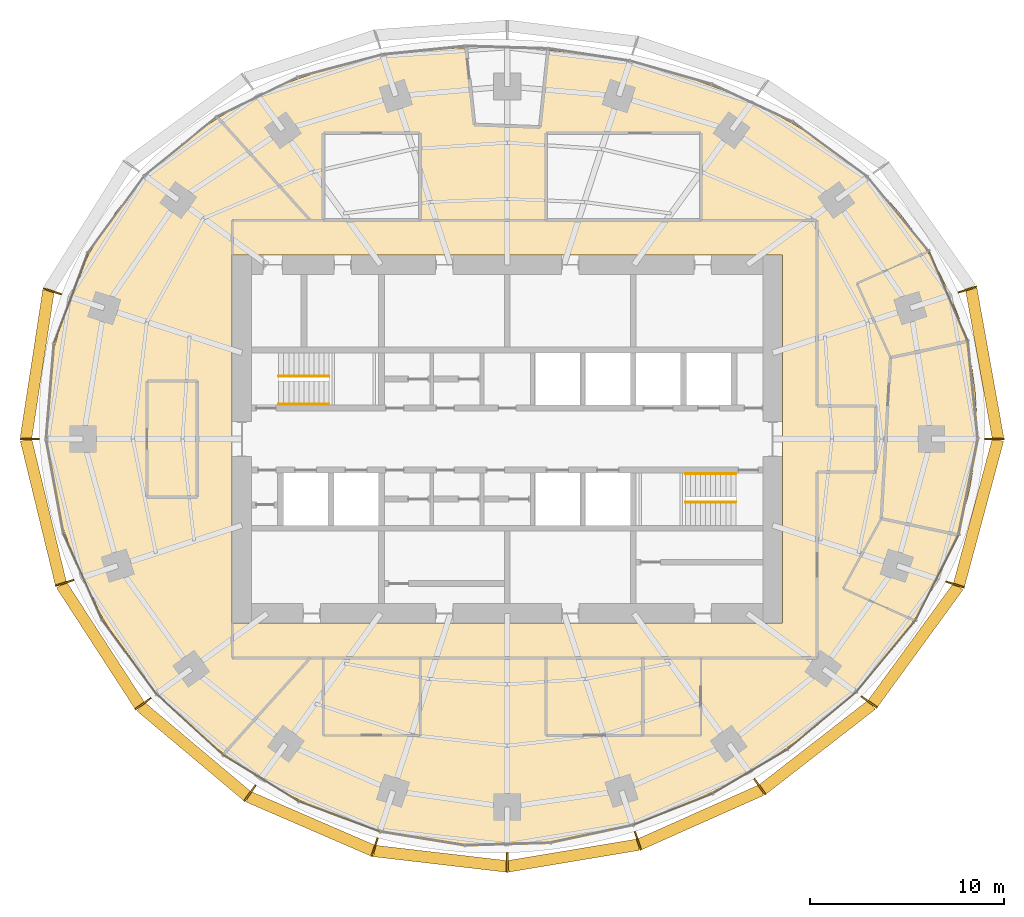
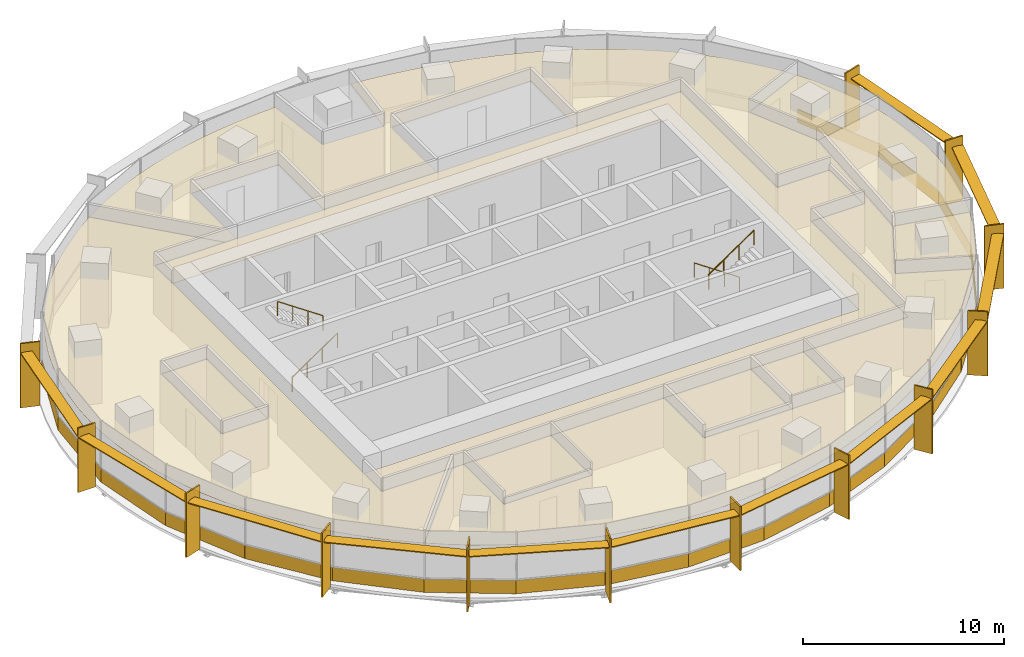
# One storey, part 14 of 15: 29 coverings, 25 shading devices, 4 railings.
"""IFC4 building model written with IfcOpenShell, lengths in metres."""

from ifc_helpers import new_model, si_unit, direction, frame, origin, origin_2d, place, context, subcontext, project, spatial, polyline, rectangle, circle, outline, extrude, material, layer, layer_set, type_object, element, save


model = new_model("IFC4")

# Units and contexts
model_context = context("Model", 3, precision=1e-05, world=origin(), true_north=direction((0.0, 1.0)))
body_context = subcontext(model_context, "Body", "Model", "MODEL_VIEW")
ifc_project = project(units=[si_unit("LENGTHUNIT", "METRE"), si_unit("AREAUNIT", "SQUARE_METRE"), si_unit("VOLUMEUNIT", "CUBIC_METRE"), si_unit("PLANEANGLEUNIT", "RADIAN"), si_unit("MASSUNIT", "GRAM", prefix="KILO")], contexts=[model_context])

# Site, building, storey
site_placement = place(None, origin())
site = spatial("IfcSite", under=ifc_project, at=site_placement, CompositionType="ELEMENT")
building_placement = place(site_placement, origin())
building = spatial("IfcBuilding", under=site, at=building_placement, Name="Marramba Exchange Tower", CompositionType="ELEMENT")
storey_placement = place(building_placement, frame((0.0, 0.0, 211.10009765625)))
storey = spatial("IfcBuildingStorey", under=building, at=storey_placement, Name="L51", CompositionType="ELEMENT", Elevation=211.10009765625)

# Shading devices
ifc_material_1 = material(Name="Aluminium blade, timber-look bronze finish", Category="wood")
ifc_layer_1 = layer(ifc_material_1, 0.080078125)
ifc_layer_set_1 = layer_set([ifc_layer_1], Name="Floor-edge blade 1000x80")
shading_device_type_1 = type_object("IfcShadingDeviceType", Name="Floor-edge blade 1000x80", PredefinedType="USERDEFINED", material=ifc_layer_set_1)
for number, where, z_axis, x_axis, name in (
    (1, (25.14404296875, 0.0, -0.16015625), (0.0, 0.0, 1.0), (1.0, 0.0, 0.0), "Floor-edge blade FB1 L51 TC01"),
    (2, (23.757080078125, 7.718994140625, -0.16015625), (0.0, 0.0, 1.0), (0.951056516295, 0.309016994375, 0.0), "Floor-edge blade FB1 L51 TC02"),
    (3, (-23.488525390625, 7.6318359375, -0.16015625), (0.0, 0.0, 1.0), (-0.951056516295, 0.309016994375, 0.0), "Floor-edge blade FB1 L51 TC10"),
    (4, (-24.656005859375, 0.0, -0.16015625), (0.0, 0.0, 1.0), (-1.0, 0.0, 0.0), "Floor-edge blade FB1 L51 TC11"),
    (5, (-22.848876953125, -7.424072265625, -0.16015625), (0.0, 0.0, 1.0), (-0.951056516295, -0.309016994375, 0.0), "Floor-edge blade FB1 L51 TC12"),
    (6, (-18.7998046875, -13.658935546875, -0.16015625), (0.0, 0.0, 1.0), (-0.809016994375, -0.587785252292, 0.0), "Floor-edge blade FB1 L51 TC13"),
    (7, (-13.2841796875, -18.2841796875, -0.16015625), (0.0, 0.0, 1.0), (-0.587785252292, -0.809016994375, 0.0), "Floor-edge blade FB1 L51 TC14"),
    (8, (-6.845703125, -21.069091796875, -0.16015625), (0.0, 0.0, 1.0), (-0.309016994375, -0.951056516295, 0.0), "Floor-edge blade FB1 L51 TC15"),
    (9, (0.0, -21.86376953125, -0.16015625), (0.0, 0.0, 1.0), (0.0, -1.0, 0.0), "Floor-edge blade FB1 L51 TC16"),
    (10, (6.739501953125, -20.741943359375, -0.16015625), (0.0, 0.0, 1.0), (0.309016994375, -0.951056516295, 0.0), "Floor-edge blade FB1 L51 TC17"),
    (11, (13.0380859375, -17.9453125, -0.16015625), (0.0, 0.0, 1.0), (0.587785252292, -0.809016994375, 0.0), "Floor-edge blade FB1 L51 TC18"),
    (12, (18.6845703125, -13.5751953125, -0.16015625), (0.0, 0.0, 1.0), (0.809016994375, -0.587785252292, 0.0), "Floor-edge blade FB1 L51 TC19"),
    (13, (23.1171875, -7.51123046875, -0.16015625), (0.0, 0.0, 1.0), (0.951056516295, -0.309016994375, 0.0), "Floor-edge blade FB1 L51 TC20"),
):
    element("IfcShadingDevice", number, at=place(storey_placement, frame(where, z_axis=z_axis, x_axis=x_axis)), inside=storey, type_object=shading_device_type_1, Name=name, ObjectType="FIN", PredefinedType="USERDEFINED", context=body_context, shape_type="SweptSolid", body=[
        extrude(rectangle(XDim=1.0, YDim=0.080078125, at=origin_2d()), origin(), (0.0, 0.0, 1.0), 3.89990234375),
    ])
ifc_material_2 = material(Name="Aluminium sunshade, bronze anodised", Category="aluminium")
ifc_layer_2 = layer(ifc_material_2, 0.06005859375)
ifc_layer_set_2 = layer_set([ifc_layer_2], Name="SUNSHADE blade 600x60")
shading_device_type_2 = type_object("IfcShadingDeviceType", Name="SUNSHADE blade 600x60", PredefinedType="USERDEFINED", material=ifc_layer_set_2)
shading_device_1_placement = place(storey_placement, frame((24.6455078125, 3.890380859375, 3.159912109375), z_axis=(0.0, 0.0, 1.0), x_axis=(-0.176690623809, 0.984266439262, 0.0)))
element("IfcShadingDevice", 14, at=shading_device_1_placement, inside=storey, type_object=shading_device_type_2, Name="Sunshade SS1 L51 bay 01", ObjectType="SUNSHADE", PredefinedType="USERDEFINED", context=body_context, shape_type="SweptSolid", body=[
    extrude(rectangle(XDim=7.8251953125, YDim=0.60009765625, at=origin_2d()), origin(), (0.0, 0.0, 1.0), 0.06005859375),
])
shading_device_2_placement = place(storey_placement, frame((-24.267333984375, 3.846923828125, 3.159912109375), z_axis=(0.0, 0.0, 1.0), x_axis=(-0.151240669327, -0.988496970123, 0.0)))
element("IfcShadingDevice", 15, at=shading_device_2_placement, inside=storey, type_object=shading_device_type_2, Name="Sunshade SS1 L51 bay 10", ObjectType="SUNSHADE", PredefinedType="USERDEFINED", context=body_context, shape_type="SweptSolid", body=[
    extrude(rectangle(XDim=7.703369140625, YDim=0.60009765625, at=origin_2d()), origin(), (0.0, 0.0, 1.0), 0.06005859375),
])
shading_device_3_placement = place(storey_placement, frame((-23.947509765625, -3.742919921875, 3.159912109375), z_axis=(0.0, 0.0, 1.0), x_axis=(0.235861488454, -0.971786683519, 0.0)))
element("IfcShadingDevice", 16, at=shading_device_3_placement, inside=storey, type_object=shading_device_type_2, Name="Sunshade SS1 L51 bay 11", ObjectType="SUNSHADE", PredefinedType="USERDEFINED", context=body_context, shape_type="SweptSolid", body=[
    extrude(rectangle(XDim=7.623291015625, YDim=0.60009765625, at=origin_2d()), origin(), (0.0, 0.0, 1.0), 0.06005859375),
])
shading_device_4_placement = place(storey_placement, frame((-21.000244140625, -10.631103515625, 3.159912109375), z_axis=(0.0, 0.0, 1.0), x_axis=(0.543921771105, -0.839135928749, 0.0)))
element("IfcShadingDevice", 17, at=shading_device_4_placement, inside=storey, type_object=shading_device_type_2, Name="Sunshade SS1 L51 bay 12", ObjectType="SUNSHADE", PredefinedType="USERDEFINED", context=body_context, shape_type="SweptSolid", body=[
    extrude(rectangle(XDim=7.41650390625, YDim=0.60009765625, at=origin_2d()), origin(), (0.0, 0.0, 1.0), 0.06005859375),
])
shading_device_5_placement = place(storey_placement, frame((-16.181640625, -16.111083984375, 3.159912109375), z_axis=(0.0, 0.0, 1.0), x_axis=(0.765761970568, -0.643124097225, 0.0)))
element("IfcShadingDevice", 18, at=shading_device_5_placement, inside=storey, type_object=shading_device_type_2, Name="Sunshade SS1 L51 bay 13", ObjectType="SUNSHADE", PredefinedType="USERDEFINED", context=body_context, shape_type="SweptSolid", body=[
    extrude(rectangle(XDim=7.1806640625, YDim=0.60009765625, at=origin_2d()), origin(), (0.0, 0.0, 1.0), 0.06005859375),
])
shading_device_6_placement = place(storey_placement, frame((-10.154541015625, -19.8525390625, 3.159912109375), z_axis=(0.0, 0.0, 1.0), x_axis=(0.917589256742, -0.397529817639, 0.0)))
element("IfcShadingDevice", 19, at=shading_device_6_placement, inside=storey, type_object=shading_device_type_2, Name="Sunshade SS1 L51 bay 14", ObjectType="SUNSHADE", PredefinedType="USERDEFINED", context=body_context, shape_type="SweptSolid", body=[
    extrude(rectangle(XDim=6.997314453125, YDim=0.60009765625, at=origin_2d()), origin(), (0.0, 0.0, 1.0), 0.06005859375),
])
shading_device_7_placement = place(storey_placement, frame((-3.453857421875, -21.66162109375, 3.159912109375), z_axis=(0.0, 0.0, 1.0), x_axis=(0.993288257497, -0.1156651958, 0.0)))
element("IfcShadingDevice", 20, at=shading_device_7_placement, inside=storey, type_object=shading_device_type_2, Name="Sunshade SS1 L51 bay 15", ObjectType="SUNSHADE", PredefinedType="USERDEFINED", context=body_context, shape_type="SweptSolid", body=[
    extrude(rectangle(XDim=6.874267578125, YDim=0.60009765625, at=origin_2d()), origin(), (0.0, 0.0, 1.0), 0.06005859375),
])
shading_device_8_placement = place(storey_placement, frame((3.400634765625, -21.498046875, 3.159912109375), z_axis=(0.0, 0.0, 1.0), x_axis=(0.986439622954, 0.164124557168, 0.0)))
element("IfcShadingDevice", 21, at=shading_device_8_placement, inside=storey, type_object=shading_device_type_2, Name="Sunshade SS1 L51 bay 16", ObjectType="SUNSHADE", PredefinedType="USERDEFINED", context=body_context, shape_type="SweptSolid", body=[
    extrude(rectangle(XDim=6.814697265625, YDim=0.60009765625, at=origin_2d()), origin(), (0.0, 0.0, 1.0), 0.06005859375),
])
shading_device_9_placement = place(storey_placement, frame((9.978515625, -19.519775390625, 3.159912109375), z_axis=(0.0, 0.0, 1.0), x_axis=(0.913771678576, 0.406228161792, 0.0)))
element("IfcShadingDevice", 22, at=shading_device_9_placement, inside=storey, type_object=shading_device_type_2, Name="Sunshade SS1 L51 bay 17", ObjectType="SUNSHADE", PredefinedType="USERDEFINED", context=body_context, shape_type="SweptSolid", body=[
    extrude(rectangle(XDim=6.8740234375, YDim=0.60009765625, at=origin_2d()), origin(), (0.0, 0.0, 1.0), 0.06005859375),
])
shading_device_10_placement = place(storey_placement, frame((16.0009765625, -15.89990234375, 3.159912109375), z_axis=(0.0, 0.0, 1.0), x_axis=(0.790133082515, 0.612935324414, 0.0)))
element("IfcShadingDevice", 23, at=shading_device_10_placement, inside=storey, type_object=shading_device_type_2, Name="Sunshade SS1 L51 bay 18", ObjectType="SUNSHADE", PredefinedType="USERDEFINED", context=body_context, shape_type="SweptSolid", body=[
    extrude(rectangle(XDim=7.122314453125, YDim=0.60009765625, at=origin_2d()), origin(), (0.0, 0.0, 1.0), 0.06005859375),
])
shading_device_11_placement = place(storey_placement, frame((21.076904296875, -10.6328125, 3.159912109375), z_axis=(0.0, 0.0, 1.0), x_axis=(0.589071758439, 0.808080728275, 0.0)))
element("IfcShadingDevice", 24, at=shading_device_11_placement, inside=storey, type_object=shading_device_type_2, Name="Sunshade SS1 L51 bay 19", ObjectType="SUNSHADE", PredefinedType="USERDEFINED", context=body_context, shape_type="SweptSolid", body=[
    extrude(rectangle(XDim=7.4931640625, YDim=0.60009765625, at=origin_2d()), origin(), (0.0, 0.0, 1.0), 0.06005859375),
])
shading_device_12_placement = place(storey_placement, frame((24.32568359375, -3.78662109375, 3.159912109375), z_axis=(0.0, 0.0, 1.0), x_axis=(0.259692365654, 0.965691397508, 0.0)))
element("IfcShadingDevice", 25, at=shading_device_12_placement, inside=storey, type_object=shading_device_type_2, Name="Sunshade SS1 L51 bay 20", ObjectType="SUNSHADE", PredefinedType="USERDEFINED", context=body_context, shape_type="SweptSolid", body=[
    extrude(rectangle(XDim=7.76220703125, YDim=0.60009765625, at=origin_2d()), origin(), (0.0, 0.0, 1.0), 0.06005859375),
])

# Coverings
ifc_material_3 = material(Name="Aluminium spandrel panel, bronze anodised, insulated", Category="aluminium")
ifc_layer_3 = layer(ifc_material_3, 0.050048828125)
ifc_layer_set_3 = layer_set([ifc_layer_3], Name="Spandrel panel 800")
covering_type_1 = type_object("IfcCoveringType", Name="Spandrel panel 800", PredefinedType="CLADDING", material=ifc_layer_set_3)
covering_1_placement = place(storey_placement, frame((24.036376953125, 2.527099609375, 0.0), z_axis=(0.0, 0.0, 1.0), x_axis=(-0.101422478545, 0.994843445395, 0.0)))
element("IfcCovering", 26, at=covering_1_placement, inside=storey, type_object=covering_type_1, Name="Spandrel panel SP1 L51 F01", PredefinedType="CLADDING", context=body_context, shape_type="SweptSolid", body=[
    extrude(rectangle(XDim=5.08056640625, YDim=0.050048828125, at=origin_2d()), origin(), (0.0, 0.0, 1.0), 0.800048828125),
])
covering_2_placement = place(storey_placement, frame((22.77734375, 7.374755859375, 0.0), z_axis=(0.0, 0.0, 1.0), x_axis=(-0.396193349205, 0.918167103552, 0.0)))
element("IfcCovering", 27, at=covering_2_placement, inside=storey, type_object=covering_type_1, Name="Spandrel panel SP1 L51 F02", PredefinedType="CLADDING", context=body_context, shape_type="SweptSolid", body=[
    extrude(rectangle(XDim=5.0546875, YDim=0.050048828125, at=origin_2d()), origin(), (0.0, 0.0, 1.0), 0.800048828125),
])
covering_3_placement = place(storey_placement, frame((-22.518798828125, 7.30419921875, 0.0), z_axis=(0.0, 0.0, 1.0), x_axis=(-0.351951514464, -0.936018232443, 0.0)))
element("IfcCovering", 28, at=covering_3_placement, inside=storey, type_object=covering_type_1, Name="Spandrel panel SP1 L51 F14", PredefinedType="CLADDING", context=body_context, shape_type="SweptSolid", body=[
    extrude(rectangle(XDim=4.981689453125, YDim=0.050048828125, at=origin_2d()), origin(), (0.0, 0.0, 1.0), 0.800048828125),
])
covering_4_placement = place(storey_placement, frame((-23.600830078125, 2.486328125, 0.0), z_axis=(0.0, 0.0, 1.0), x_axis=(-0.082280881776, -0.996609179415, 0.0)))
element("IfcCovering", 29, at=covering_4_placement, inside=storey, type_object=covering_type_1, Name="Spandrel panel SP1 L51 F15", PredefinedType="CLADDING", context=body_context, shape_type="SweptSolid", body=[
    extrude(rectangle(XDim=4.98974609375, YDim=0.050048828125, at=origin_2d()), origin(), (0.0, 0.0, 1.0), 0.800048828125),
])
covering_5_placement = place(storey_placement, frame((-23.359619140625, -2.43505859375, 0.0), z_axis=(0.0, 0.0, 1.0), x_axis=(0.180327442841, -0.983606635479, 0.0)))
element("IfcCovering", 30, at=covering_5_placement, inside=storey, type_object=covering_type_1, Name="Spandrel panel SP1 L51 F16", PredefinedType="CLADDING", context=body_context, shape_type="SweptSolid", body=[
    extrude(rectangle(XDim=4.951416015625, YDim=0.050048828125, at=origin_2d()), origin(), (0.0, 0.0, 1.0), 0.800048828125),
])
covering_6_placement = place(storey_placement, frame((-21.920654296875, -7.093994140625, 0.0), z_axis=(0.0, 0.0, 1.0), x_axis=(0.407557582153, -0.913179509861, 0.0)))
element("IfcCovering", 31, at=covering_6_placement, inside=storey, type_object=covering_type_1, Name="Spandrel panel SP1 L51 F17", PredefinedType="CLADDING", context=body_context, shape_type="SweptSolid", body=[
    extrude(rectangle(XDim=4.870361328125, YDim=0.050048828125, at=origin_2d()), origin(), (0.0, 0.0, 1.0), 0.800048828125),
])
covering_7_placement = place(storey_placement, frame((-19.520263671875, -11.238525390625, 0.0), z_axis=(0.0, 0.0, 1.0), x_axis=(0.591223097085, -0.80650805915, 0.0)))
element("IfcCovering", 32, at=covering_7_placement, inside=storey, type_object=covering_type_1, Name="Spandrel panel SP1 L51 F18", PredefinedType="CLADDING", context=body_context, shape_type="SweptSolid", body=[
    extrude(rectangle(XDim=4.762939453125, YDim=0.050048828125, at=origin_2d()), origin(), (0.0, 0.0, 1.0), 0.800048828125),
])
covering_8_placement = place(storey_placement, frame((-16.396240234375, -14.73193359375, 0.0), z_axis=(0.0, 0.0, 1.0), x_axis=(0.737203259599, -0.67567103981, 0.0)))
element("IfcCovering", 33, at=covering_8_placement, inside=storey, type_object=covering_type_1, Name="Spandrel panel SP1 L51 F19", PredefinedType="CLADDING", context=body_context, shape_type="SweptSolid", body=[
    extrude(rectangle(XDim=4.65478515625, YDim=0.050048828125, at=origin_2d()), origin(), (0.0, 0.0, 1.0), 0.800048828125),
])
covering_9_placement = place(storey_placement, frame((-12.73583984375, -17.497802734375, 0.0), z_axis=(0.0, 0.0, 1.0), x_axis=(0.852301010692, -0.52305161043, 0.0)))
element("IfcCovering", 34, at=covering_9_placement, inside=storey, type_object=covering_type_1, Name="Spandrel panel SP1 L51 F20", PredefinedType="CLADDING", context=body_context, shape_type="SweptSolid", body=[
    extrude(rectangle(XDim=4.563232421875, YDim=0.050048828125, at=origin_2d()), origin(), (0.0, 0.0, 1.0), 0.800048828125),
])
covering_10_placement = place(storey_placement, frame((-8.687255859375, -19.47607421875, 0.0), z_axis=(0.0, 0.0, 1.0), x_axis=(0.936951581946, -0.349459200892, 0.0)))
element("IfcCovering", 35, at=covering_10_placement, inside=storey, type_object=covering_type_1, Name="Spandrel panel SP1 L51 F21", PredefinedType="CLADDING", context=body_context, shape_type="SweptSolid", body=[
    extrude(rectangle(XDim=4.491455078125, YDim=0.050048828125, at=origin_2d()), origin(), (0.0, 0.0, 1.0), 0.800048828125),
])
covering_11_placement = place(storey_placement, frame((-4.393798828125, -20.6181640625, 0.0), z_axis=(0.0, 0.0, 1.0), x_axis=(0.98693062179, -0.161145734582, 0.0)))
element("IfcCovering", 36, at=covering_11_placement, inside=storey, type_object=covering_type_1, Name="Spandrel panel SP1 L51 F22", PredefinedType="CLADDING", context=body_context, shape_type="SweptSolid", body=[
    extrude(rectangle(XDim=4.4365234375, YDim=0.050048828125, at=origin_2d()), origin(), (0.0, 0.0, 1.0), 0.800048828125),
])
covering_12_placement = place(storey_placement, frame((-0.0068359375, -20.9111328125, 0.0), z_axis=(0.0, 0.0, 1.0), x_axis=(0.99956791932, 0.02939344597, 0.0)))
element("IfcCovering", 37, at=covering_12_placement, inside=storey, type_object=covering_type_1, Name="Spandrel panel SP1 L51 F23", PredefinedType="CLADDING", context=body_context, shape_type="SweptSolid", body=[
    extrude(rectangle(XDim=4.3974609375, YDim=0.050048828125, at=origin_2d()), origin(), (0.0, 0.0, 1.0), 0.800048828125),
])
covering_13_placement = place(storey_placement, frame((4.333984375, -20.389892578125, 0.0), z_axis=(0.0, 0.0, 1.0), x_axis=(0.978058068956, 0.208332459664, 0.0)))
element("IfcCovering", 38, at=covering_13_placement, inside=storey, type_object=covering_type_1, Name="Spandrel panel SP1 L51 F24", PredefinedType="CLADDING", context=body_context, shape_type="SweptSolid", body=[
    extrude(rectangle(XDim=4.3818359375, YDim=0.050048828125, at=origin_2d()), origin(), (0.0, 0.0, 1.0), 0.800048828125),
])
covering_14_placement = place(storey_placement, frame((8.525390625, -19.124267578125, 0.0), z_axis=(0.0, 0.0, 1.0), x_axis=(0.93007301151, 0.367374731386, 0.0)))
element("IfcCovering", 39, at=covering_14_placement, inside=storey, type_object=covering_type_1, Name="Spandrel panel SP1 L51 F25", PredefinedType="CLADDING", context=body_context, shape_type="SweptSolid", body=[
    extrude(rectangle(XDim=4.405517578125, YDim=0.050048828125, at=origin_2d()), origin(), (0.0, 0.0, 1.0), 0.800048828125),
])
covering_15_placement = place(storey_placement, frame((12.50634765625, -17.175537109375, 0.0), z_axis=(0.0, 0.0, 1.0), x_axis=(0.861350829898, 0.508010578466, 0.0)))
element("IfcCovering", 40, at=covering_15_placement, inside=storey, type_object=covering_type_1, Name="Spandrel panel SP1 L51 F26", PredefinedType="CLADDING", context=body_context, shape_type="SweptSolid", body=[
    extrude(rectangle(XDim=4.486572265625, YDim=0.050048828125, at=origin_2d()), origin(), (0.0, 0.0, 1.0), 0.800048828125),
])
covering_16_placement = place(storey_placement, frame((16.2177734375, -14.5556640625, 0.0), z_axis=(0.0, 0.0, 1.0), x_axis=(0.768736803132, 0.639565264465, 0.0)))
element("IfcCovering", 41, at=covering_16_placement, inside=storey, type_object=covering_type_1, Name="Spandrel panel SP1 L51 F27", PredefinedType="CLADDING", context=body_context, shape_type="SweptSolid", body=[
    extrude(rectangle(XDim=4.628662109375, YDim=0.050048828125, at=origin_2d()), origin(), (0.0, 0.0, 1.0), 0.800048828125),
])
covering_17_placement = place(storey_placement, frame((19.529541015625, -11.2265625, 0.0), z_axis=(0.0, 0.0, 1.0), x_axis=(0.638149992226, 0.769912064733, 0.0)))
element("IfcCovering", 42, at=covering_17_placement, inside=storey, type_object=covering_type_1, Name="Spandrel panel SP1 L51 F28", PredefinedType="CLADDING", context=body_context, shape_type="SweptSolid", body=[
    extrude(rectangle(XDim=4.80322265625, YDim=0.050048828125, at=origin_2d()), origin(), (0.0, 0.0, 1.0), 0.800048828125),
])
covering_18_placement = place(storey_placement, frame((22.17919921875, -7.16455078125, 0.0), z_axis=(0.0, 0.0, 1.0), x_axis=(0.450673091404, 0.892689063832, 0.0)))
element("IfcCovering", 43, at=covering_18_placement, inside=storey, type_object=covering_type_1, Name="Spandrel panel SP1 L51 F29", PredefinedType="CLADDING", context=body_context, shape_type="SweptSolid", body=[
    extrude(rectangle(XDim=4.957763671875, YDim=0.050048828125, at=origin_2d()), origin(), (0.0, 0.0, 1.0), 0.800048828125),
])
covering_19_placement = place(storey_placement, frame((23.795166015625, -2.475830078125, 0.0), z_axis=(0.0, 0.0, 1.0), x_axis=(0.197495401381, 0.980303813332, 0.0)))
element("IfcCovering", 44, at=covering_19_placement, inside=storey, type_object=covering_type_1, Name="Spandrel panel SP1 L51 F30", PredefinedType="CLADDING", context=body_context, shape_type="SweptSolid", body=[
    extrude(rectangle(XDim=5.05126953125, YDim=0.050048828125, at=origin_2d()), origin(), (0.0, 0.0, 1.0), 0.800048828125),
])

# Railings
ifc_material_4 = material(Name="Stainless steel handrail", Category="steel")
railing_type = type_object("IfcRailingType", Name="Stair handrail 900", PredefinedType="HANDRAIL", material=ifc_material_4)
railing_1_placement = place(storey_placement, frame((-11.800048828125, 1.800048828125, 0.17724609375)))
element("IfcRailing", 45, at=railing_1_placement, inside=storey, type_object=railing_type, Name="Handrail HR1 ST1 L51 flight 1", PredefinedType="HANDRAIL", context=body_context, shape_type="SweptSolid", body=[
    extrude(circle(Radius=0.02392578125, at=origin_2d()), frame((0.0, 0.0, 0.8759765625), z_axis=(0.826240473404, 0.0, 0.563317565952), x_axis=(0.0, 1.0, 0.0)), (0.0, 0.0, 1.0), 3.14697265625),
    extrude(circle(Radius=0.02099609375, at=origin_2d()), origin(), (0.0, 0.0, 1.0), 0.851806640625),
    extrude(circle(Radius=0.02099609375, at=origin_2d()), frame((0.86669921875, 0.0, 0.5908203125)), (0.0, 0.0, 1.0), 0.851806640625),
    extrude(circle(Radius=0.02099609375, at=origin_2d()), frame((1.7333984375, 0.0, 1.181884765625)), (0.0, 0.0, 1.0), 0.851806640625),
    extrude(circle(Radius=0.02099609375, at=origin_2d()), frame((2.60009765625, 0.0, 1.772705078125)), (0.0, 0.0, 1.0), 0.851806640625),
])
for number, where, name in (
    (46, (-9.199951171875, 3.25, 2.127197265625), "Handrail HR1 ST1 L51 flight 2"),
    (47, (11.800048828125, -1.800048828125, 0.17724609375), "Handrail HR1 ST2 L51 flight 1"),
):
    element("IfcRailing", number, at=place(storey_placement, frame(where)), inside=storey, type_object=railing_type, Name=name, PredefinedType="HANDRAIL", context=body_context, shape_type="SweptSolid", body=[
        extrude(circle(Radius=0.02392578125, at=origin_2d()), frame((0.0, 0.0, 0.8759765625), z_axis=(-0.826240473404, 0.0, 0.563317565952), x_axis=(0.0, -1.0, 0.0)), (0.0, 0.0, 1.0), 3.14697265625),
        extrude(circle(Radius=0.02099609375, at=origin_2d()), origin(), (0.0, 0.0, 1.0), 0.851806640625),
        extrude(circle(Radius=0.02099609375, at=origin_2d()), frame((-0.86669921875, 0.0, 0.5908203125)), (0.0, 0.0, 1.0), 0.851806640625),
        extrude(circle(Radius=0.02099609375, at=origin_2d()), frame((-1.7333984375, 0.0, 1.181884765625)), (0.0, 0.0, 1.0), 0.851806640625),
        extrude(circle(Radius=0.02099609375, at=origin_2d()), frame((-2.60009765625, 0.0, 1.772705078125)), (0.0, 0.0, 1.0), 0.851806640625),
    ])
railing_2_placement = place(storey_placement, frame((9.199951171875, -3.25, 2.127197265625)))
element("IfcRailing", 48, at=railing_2_placement, inside=storey, type_object=railing_type, Name="Handrail HR1 ST2 L51 flight 2", PredefinedType="HANDRAIL", context=body_context, shape_type="SweptSolid", body=[
    extrude(circle(Radius=0.02392578125, at=origin_2d()), frame((0.0, 0.0, 0.8759765625), z_axis=(0.826240473404, 0.0, 0.563317565952), x_axis=(0.0, 1.0, 0.0)), (0.0, 0.0, 1.0), 3.14697265625),
    extrude(circle(Radius=0.02099609375, at=origin_2d()), origin(), (0.0, 0.0, 1.0), 0.851806640625),
    extrude(circle(Radius=0.02099609375, at=origin_2d()), frame((0.86669921875, 0.0, 0.5908203125)), (0.0, 0.0, 1.0), 0.851806640625),
    extrude(circle(Radius=0.02099609375, at=origin_2d()), frame((1.7333984375, 0.0, 1.181884765625)), (0.0, 0.0, 1.0), 0.851806640625),
    extrude(circle(Radius=0.02099609375, at=origin_2d()), frame((2.60009765625, 0.0, 1.772705078125)), (0.0, 0.0, 1.0), 0.851806640625),
])

# Coverings
ifc_material_5 = material(Name="Mineral fibre ceiling tiles", Category="gypsum")
ifc_layer_4 = layer(ifc_material_5, 0.02001953125)
ifc_layer_set_4 = layer_set([ifc_layer_4], Name="Suspended ceiling 20")
covering_type_2 = type_object("IfcCoveringType", Name="Suspended ceiling 20", PredefinedType="CEILING", material=ifc_layer_set_4)
covering_20_placement = place(storey_placement, frame((0.0, 0.0, 2.89990234375)))
element("IfcCovering", 49, at=covering_20_placement, inside=storey, type_object=covering_type_2, Name="Ceiling CL1 L51 Open Plan Office 1", PredefinedType="CEILING", context=body_context, shape_type="SweptSolid", body=[
    extrude(outline(polyline([(16.0, -1.699951171875), (19.0, -1.699951171875), (19.0, 1.699951171875), (16.0, 1.699951171875), (16.0, 11.300048828125), (10.0, 11.300048828125), (10.0, 15.800048828125), (2.0, 15.800048828125), (2.0, 11.300048828125), (-4.5, 11.300048828125), (-4.5, 15.800048828125), (-9.5, 15.800048828125), (-9.5, 11.300048828125), (-10.174560546875, 11.300048828125), (-14.931396484375, 16.5830078125), (-13.914794921875, 17.183349609375), (-12.8759765625, 17.722412109375), (-11.820068359375, 18.201171875), (-10.75146484375, 18.621826171875), (-9.67431640625, 18.98681640625), (-8.59228515625, 19.29833984375), (-7.50830078125, 19.559326171875), (-6.424560546875, 19.77294921875), (-5.34326171875, 19.941650390625), (-4.265625, 20.068603515625), (-3.1923828125, 20.15625), (-2.123779296875, 20.20703125), (-1.705810546875, 16.22900390625), (1.692138671875, 16.099609375), (2.1103515625, 20.077880859375), (3.16259765625, 19.96728515625), (4.214111328125, 19.82568359375), (5.265869140625, 19.65234375), (6.318359375, 19.445556640625), (7.371826171875, 19.2041015625), (8.426025390625, 18.92529296875), (9.480712890625, 18.60693359375), (10.5341796875, 18.245849609375), (11.584716796875, 17.839111328125), (12.6298828125, 17.383544921875), (13.666259765625, 16.87646484375), (14.689453125, 16.314453125), (15.695068359375, 15.695068359375), (16.67724609375, 15.016357421875), (17.6298828125, 14.276611328125), (18.54638671875, 13.474853515625), (19.41943359375, 12.611083984375), (20.24169921875, 11.6865234375), (21.00537109375, 10.70263671875), (21.702880859375, 9.662841796875), (18.048828125, 8.035888671875), (19.787841796875, 4.2060546875), (19.3056640625, -4.103515625), (17.334716796875, -7.718017578125), (20.989013671875, -9.344970703125), (20.286865234375, -10.336669921875), (19.539794921875, -11.28125), (18.753173828125, -12.178466796875), (17.93212890625, -13.028564453125), (17.08154296875, -13.832275390625), (16.204833984375, -14.5908203125), (15.30517578125, -15.30517578125), (14.38525390625, -15.976318359375), (13.44677734375, -16.60546875), (12.491455078125, -17.193115234375), (11.520263671875, -17.73974609375), (10.5341796875, -18.245849609375), (9.53369140625, -18.711181640625), (8.51953125, -19.13525390625), (7.4921875, -19.517578125), (6.4521484375, -19.857421875), (5.400146484375, -20.153564453125), (4.337158203125, -20.404541015625), (3.26416015625, -20.609619140625), (2.1826171875, -20.766845703125), (1.093994140625, -20.875244140625), (0.0, -20.93359375), (-1.097412109375, -20.94091796875), (-2.1962890625, -20.89599609375), (-3.294189453125, -20.79833984375), (-4.388916015625, -20.6474609375), (-5.477783203125, -20.44287109375), (-6.558349609375, -20.184814453125), (-7.62841796875, -19.873046875), (-8.685546875, -19.50830078125), (-9.727294921875, -19.091064453125), (-10.75146484375, -18.621826171875), (-11.755615234375, -18.101806640625), (-12.737548828125, -17.53173828125), (-13.6953125, -16.912353515625), (-14.626953125, -16.2451171875), (-10.174560546875, -11.300048828125), (-9.5, -11.300048828125), (-9.5, -15.300048828125), (-4.5, -15.300048828125), (-4.5, -11.300048828125), (2.0, -11.300048828125), (2.0, -15.300048828125), (7.0, -15.300048828125), (10.0, -15.300048828125), (10.0, -11.300048828125), (16.0, -11.300048828125), (16.0, -1.699951171875)])), origin(), (0.0, 0.0, 1.0), 0.02001953125),
])
covering_21_placement = place(storey_placement, frame((0.0, 0.0, 2.89990234375)))
element("IfcCovering", 50, at=covering_21_placement, inside=storey, type_object=covering_type_2, Name="Ceiling CL1 L51 Open Plan Office 2", PredefinedType="CEILING", context=body_context, shape_type="SweptSolid", body=[
    extrude(outline(polyline([(-16.403076171875, -14.769287109375), (-17.242919921875, -13.962890625), (-18.04736328125, -13.1123046875), (-18.81396484375, -12.218017578125), (-19.539794921875, -11.28125), (-20.22119140625, -10.30322265625), (-20.85498046875, -9.285400390625), (-21.4375, -8.22900390625), (-21.96435546875, -7.13671875), (-22.431640625, -6.010498046875), (-22.8349609375, -4.853759765625), (-23.169921875, -3.669677734375), (-23.432373046875, -2.462890625), (-23.618896484375, -1.23779296875), (-23.72607421875, 0.0), (-23.7509765625, 1.24462890625), (-23.691650390625, 2.489990234375), (-23.547119140625, 3.7294921875), (-23.317138671875, 4.956298828125), (-23.002197265625, 6.163330078125), (-22.604248046875, 7.344482421875), (-22.125244140625, 8.4931640625), (-21.569091796875, 9.603271484375), (-20.939697265625, 10.669189453125), (-20.24169921875, 11.6865234375), (-19.48046875, 12.650634765625), (-18.66162109375, 13.55859375), (-17.79150390625, 14.4072265625), (-16.87548828125, 15.19482421875), (-15.920166015625, 15.920166015625), (-14.931396484375, 16.5830078125), (-10.174560546875, 11.300048828125), (-14.199951171875, 11.300048828125), (-14.199951171875, 9.5), (-14.199951171875, -9.5), (-14.199951171875, -11.300048828125), (-10.174560546875, -11.300048828125), (-11.73291015625, -13.03076171875), (-14.626953125, -16.2451171875), (-15.5302734375, -15.5302734375), (-16.403076171875, -14.769287109375)]), holes=[polyline([(-16.0, 3.0), (-18.60009765625, 3.0), (-18.60009765625, -3.0), (-16.0, -3.0), (-16.0, 3.0)])]), origin(), (0.0, 0.0, 1.0), 0.02001953125),
])
covering_22_placement = place(storey_placement, frame((0.0, 0.0, 2.89990234375)))
element("IfcCovering", 51, at=covering_22_placement, inside=storey, type_object=covering_type_2, Name="Ceiling CL1 L51 Corridor", PredefinedType="CEILING", context=body_context, shape_type="SweptSolid", body=[
    extrude(outline(polyline([(19.0, -1.699951171875), (16.0, -1.699951171875), (16.0, -11.300048828125), (-14.199951171875, -11.300048828125), (-14.199951171875, -9.5), (14.199951171875, -9.5), (14.199951171875, -1.699951171875), (14.199951171875, 1.699951171875), (14.199951171875, 9.5), (-14.199951171875, 9.5), (-14.199951171875, 11.300048828125), (16.0, 11.300048828125), (16.0, 1.699951171875), (19.0, 1.699951171875), (19.0, -1.699951171875)])), origin(), (0.0, 0.0, 1.0), 0.02001953125),
])
covering_23_placement = place(storey_placement, frame((0.0, 0.0, 2.89990234375)))
element("IfcCovering", 52, at=covering_23_placement, inside=storey, type_object=covering_type_2, Name="Ceiling CL1 L51 Office 1", PredefinedType="CEILING", context=body_context, shape_type="SweptSolid", body=[
    extrude(outline(polyline([(22.32763671875, 8.57080078125), (22.87255859375, 7.431640625), (23.109375, 6.822998046875), (23.331787109375, 6.251708984375), (23.700439453125, 5.03759765625), (19.787841796875, 4.2060546875), (18.048828125, 8.035888671875), (21.702880859375, 9.662841796875), (22.32763671875, 8.57080078125)])), origin(), (0.0, 0.0, 1.0), 0.02001953125),
])
covering_24_placement = place(storey_placement, frame((0.0, 0.0, 2.89990234375)))
element("IfcCovering", 53, at=covering_24_placement, inside=storey, type_object=covering_type_2, Name="Ceiling CL1 L51 Office 2", PredefinedType="CEILING", context=body_context, shape_type="SweptSolid", body=[
    extrude(outline(polyline([(22.760986328125, -6.098876953125), (22.62744140625, -6.383544921875), (22.23291015625, -7.223876953125), (21.7080078125, -8.18212890625), (21.639892578125, -8.306884765625), (20.989013671875, -9.344970703125), (17.334716796875, -7.718017578125), (19.3056640625, -4.103515625), (23.218017578125, -4.935302734375), (22.760986328125, -6.098876953125)])), origin(), (0.0, 0.0, 1.0), 0.02001953125),
])
covering_25_placement = place(storey_placement, frame((0.0, 0.0, 2.89990234375)))
element("IfcCovering", 54, at=covering_25_placement, inside=storey, type_object=covering_type_2, Name="Ceiling CL1 L51 Meeting Room 1", PredefinedType="CEILING", context=body_context, shape_type="SweptSolid", body=[
    extrude(outline(polyline([(23.80322265625, 4.5732421875), (23.974853515625, 3.797119140625), (24.15234375, 2.53857421875), (24.23193359375, 1.27001953125), (24.214111328125, 0.0), (24.10009765625, -1.262939453125), (23.89306640625, -2.51123046875), (23.800048828125, -2.897705078125), (23.597412109375, -3.737548828125), (23.35009765625, -4.518310546875), (23.218017578125, -4.935302734375), (19.3056640625, -4.103515625), (19.787841796875, 4.2060546875), (23.700439453125, 5.03759765625), (23.80322265625, 4.5732421875)])), origin(), (0.0, 0.0, 1.0), 0.02001953125),
])
covering_26_placement = place(storey_placement, frame((0.0, 0.0, 2.89990234375)))
element("IfcCovering", 55, at=covering_26_placement, inside=storey, type_object=covering_type_2, Name="Ceiling CL1 L51 Meeting Room 3", PredefinedType="CEILING", context=body_context, shape_type="SweptSolid", body=[
    extrude(outline(polyline([(7.0, -15.300048828125), (2.0, -15.300048828125), (2.0, -11.300048828125), (7.0, -11.300048828125), (7.0, -15.300048828125)])), origin(), (0.0, 0.0, 1.0), 0.02001953125),
])
covering_27_placement = place(storey_placement, frame((0.0, 0.0, 2.89990234375)))
element("IfcCovering", 56, at=covering_27_placement, inside=storey, type_object=covering_type_2, Name="Ceiling CL1 L51 Pantry 1", PredefinedType="CEILING", context=body_context, shape_type="SweptSolid", body=[
    extrude(outline(polyline([(10.0, -15.300048828125), (7.0, -15.300048828125), (7.0, -11.300048828125), (10.0, -11.300048828125), (10.0, -15.300048828125)])), origin(), (0.0, 0.0, 1.0), 0.02001953125),
])
covering_28_placement = place(storey_placement, frame((0.0, 0.0, 2.89990234375)))
element("IfcCovering", 57, at=covering_28_placement, inside=storey, type_object=covering_type_2, Name="Ceiling CL1 L51 Pantry 2", PredefinedType="CEILING", context=body_context, shape_type="SweptSolid", body=[
    extrude(outline(polyline([(-4.5, -15.300048828125), (-9.5, -15.300048828125), (-9.5, -11.300048828125), (-4.5, -11.300048828125), (-4.5, -15.300048828125)])), origin(), (0.0, 0.0, 1.0), 0.02001953125),
])
covering_29_placement = place(storey_placement, frame((0.0, 0.0, 2.89990234375)))
element("IfcCovering", 58, at=covering_29_placement, inside=storey, type_object=covering_type_2, Name="Ceiling CL1 L51 Quiet Room 2", PredefinedType="CEILING", context=body_context, shape_type="SweptSolid", body=[
    extrude(outline(polyline([(-16.0, -3.0), (-18.60009765625, -3.0), (-18.60009765625, 3.0), (-16.0, 3.0), (-16.0, -3.0)])), origin(), (0.0, 0.0, 1.0), 0.02001953125),
])

save(model, "model.ifc")
